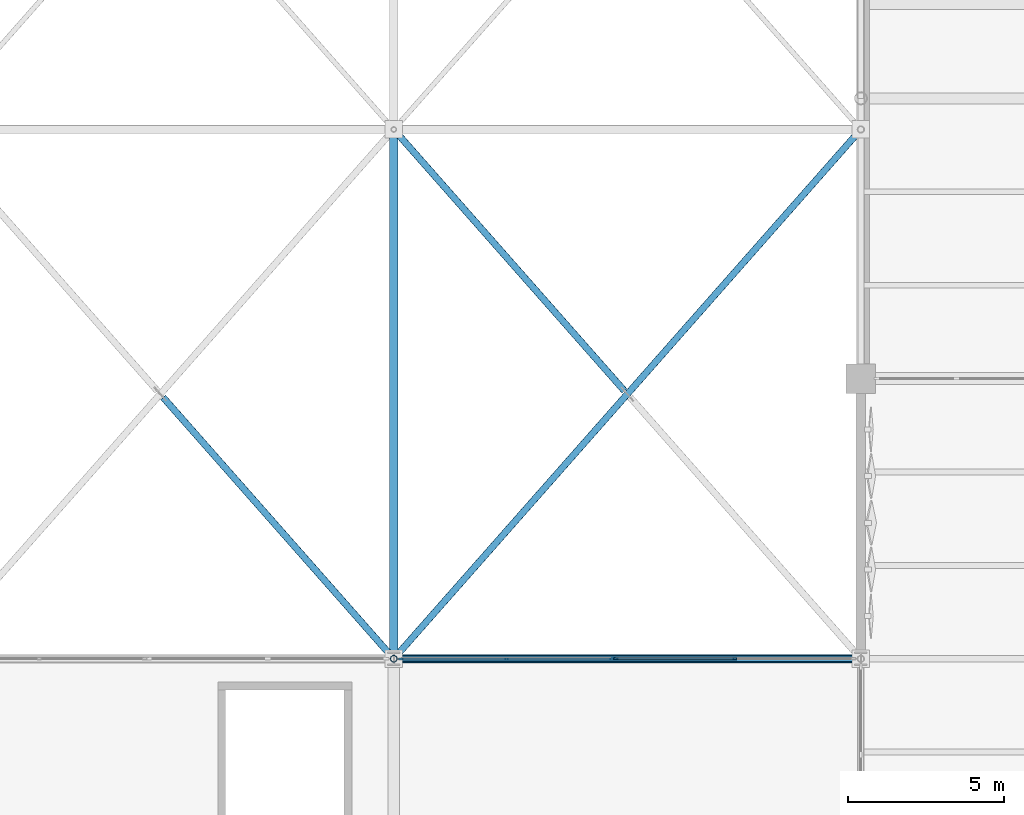
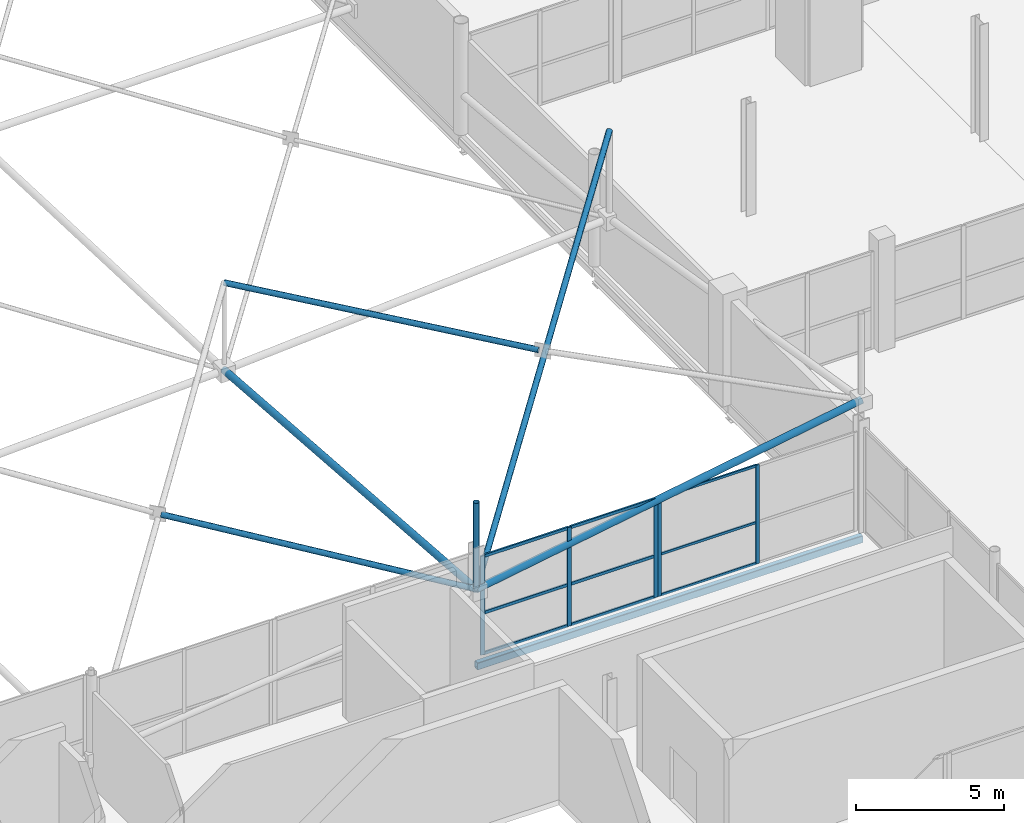
# One storey, part 51 of 224: 20 members, 1 beam, 2 elements without a shape of their own.
"""IFC4 building model written with IfcOpenShell, lengths in metres."""

from ifc_helpers import new_model, si_unit, direction, frame, origin, origin_2d, place, context, subcontext, project, spatial, rectangle, hollow_rectangle, hollow_circle, extrude, material, layer, layer_set, material_profile, profile_set, type_object, element, aggregate, save


model = new_model("IFC4")

# Units and contexts
model_context = context("Model", 3, precision=1e-05, world=origin(), true_north=direction((0.0, 1.0)))
body_context = subcontext(model_context, "Body", "Model", "MODEL_VIEW")
ifc_project = project(units=[si_unit("LENGTHUNIT", "METRE"), si_unit("AREAUNIT", "SQUARE_METRE"), si_unit("VOLUMEUNIT", "CUBIC_METRE"), si_unit("PLANEANGLEUNIT", "RADIAN"), si_unit("MASSUNIT", "GRAM", prefix="KILO")], contexts=[model_context])

# Site, building, storey
site_placement = place(None, origin())
site = spatial("IfcSite", under=ifc_project, at=site_placement, CompositionType="ELEMENT")
building_placement = place(site_placement, origin())
building = spatial("IfcBuilding", under=site, at=building_placement, Name="Qamarlyn Nura Convention Centre", CompositionType="ELEMENT")
storey_placement = place(building_placement, frame((0.0, 0.0, 10.800048828125)))
storey = spatial("IfcBuildingStorey", under=building, at=storey_placement, Name="L02", CompositionType="ELEMENT", Elevation=10.800048828125)

# Beam
ifc_material_1 = material(Name="Steel ASTM A500 Grade C", Category="steel")
ifc_material_profile_1 = material_profile(ifc_material_1, hollow_rectangle(XDim=0.199951171875, YDim=0.300048828125, WallThickness=0.012451171875, InnerFilletRadius=0.012451171875, OuterFilletRadius=0.02490234375, at=origin_2d()), Name="HSS300X200X12.5")
ifc_profile_set_1 = profile_set([ifc_material_profile_1], Name="Steel ASTM A500 Grade C")
beam_type = type_object("IfcBeamType", Name="BM-SPAN-HSS", PredefinedType="SPANDREL", material=ifc_profile_set_1)
beam_placement = place(storey_placement, frame((105.0, 18.0, -0.3701171875), z_axis=(1.0, 0.0, 0.0), x_axis=(0.0, 1.0, 0.0)))
element("IfcBeam", 1, at=beam_placement, inside=storey, type_object=beam_type, Name="L02 girder C 8-9", PredefinedType="SPANDREL", context=body_context, shape_type="SweptSolid", body=[
    extrude(hollow_rectangle(XDim=0.199951171875, YDim=0.300048828125, WallThickness=0.012451171875, InnerFilletRadius=0.012451171875, OuterFilletRadius=0.02490234375, at=origin_2d()), origin(), (0.0, 0.0, 1.0), 15.0),
])

# Curtain wall, members
ifc_material_2 = material(Name="Double-silver low-E insulated glass", Category="glass")
ifc_layer_1 = layer(ifc_material_2, 0.179931640625, Name="CW-UNIT-24")
ifc_layer_set_1 = layer_set([ifc_layer_1], Name="Double-silver low-E insulated glass")
curtain_wall_type_1 = type_object("IfcCurtainWallType", Name="CW-UNIT-24", PredefinedType="NOTDEFINED", material=ifc_layer_set_1)
curtain_wall_1_placement = place(storey_placement, origin())
curtain_wall_1 = element("IfcCurtainWall", 2, at=curtain_wall_1_placement, inside=storey, type_object=curtain_wall_type_1, Name="L02 unitised curtain wall V1-INT-S4-1B", PredefinedType="NOTDEFINED")
ifc_material_3 = material(Name="Champagne-anodised marine aluminium", Category="aluminium")
ifc_material_profile_2 = material_profile(ifc_material_3, rectangle(XDim=0.06005859375, YDim=0.139892578125, at=origin_2d()), Name="ALU MULLION 60x140")
ifc_profile_set_2 = profile_set([ifc_material_profile_2], Name="Champagne-anodised marine aluminium")
member_type_1 = type_object("IfcMemberType", Name="CWM-140", PredefinedType="MULLION", material=ifc_profile_set_2)
member_1_placement = place(storey_placement, frame((112.13232421875, 18.0, 0.0), z_axis=(0.0, 0.0, 1.0), x_axis=(0.0, 1.0, 0.0)))
member_1 = element("IfcMember", 3, at=member_1_placement, type_object=member_type_1, Name="CW24 mullion 1", PredefinedType="MULLION", context=body_context, shape_type="SweptSolid", body=[
    extrude(rectangle(XDim=0.06005859375, YDim=0.139892578125, at=origin_2d()), origin(), (0.0, 0.0, 1.0), 4.071044921875),
])
member_2_placement = place(storey_placement, frame((115.948974609375, 18.0, 0.0), z_axis=(0.0, 0.0, 1.0), x_axis=(0.0, 1.0, 0.0)))
member_2 = element("IfcMember", 4, at=member_2_placement, type_object=member_type_1, Name="CW24 mullion 2", PredefinedType="MULLION", context=body_context, shape_type="SweptSolid", body=[
    extrude(rectangle(XDim=0.06005859375, YDim=0.139892578125, at=origin_2d()), origin(), (0.0, 0.0, 1.0), 4.071044921875),
])

ifc_layer_2 = layer(ifc_material_2, 0.179931640625, Name="CW-UNIT-23")
ifc_layer_set_2 = layer_set([ifc_layer_2], Name="Double-silver low-E insulated glass")
curtain_wall_type_2 = type_object("IfcCurtainWallType", Name="CW-UNIT-23", PredefinedType="NOTDEFINED", material=ifc_layer_set_2)
curtain_wall_2_placement = place(storey_placement, origin())
curtain_wall_2 = element("IfcCurtainWall", 5, at=curtain_wall_2_placement, inside=storey, type_object=curtain_wall_type_2, Name="L02 unitised curtain wall V1-INT-S4-1A", PredefinedType="NOTDEFINED")
ifc_material_profile_3 = material_profile(ifc_material_3, rectangle(XDim=0.06494140625, YDim=0.159912109375, at=origin_2d()), Name="ALU MULLION 65x160")
ifc_profile_set_3 = profile_set([ifc_material_profile_3], Name="Champagne-anodised marine aluminium")
member_type_2 = type_object("IfcMemberType", Name="CWM-160", PredefinedType="MULLION", material=ifc_profile_set_3)
member_3_placement = place(storey_placement, frame((105.237060546875, 18.0, 0.0), z_axis=(0.0, 0.0, 1.0), x_axis=(0.0, 1.0, 0.0)))
member_3 = element("IfcMember", 6, at=member_3_placement, type_object=member_type_2, Name="CW23 mullion 1", PredefinedType="MULLION", context=body_context, shape_type="SweptSolid", body=[
    extrude(rectangle(XDim=0.06494140625, YDim=0.159912109375, at=origin_2d()), origin(), (0.0, 0.0, 1.0), 4.071044921875),
])
member_4_placement = place(storey_placement, frame((108.61328125, 18.0, 0.0), z_axis=(0.0, 0.0, 1.0), x_axis=(0.0, 1.0, 0.0)))
member_4 = element("IfcMember", 7, at=member_4_placement, type_object=member_type_2, Name="CW23 mullion 2", PredefinedType="MULLION", context=body_context, shape_type="SweptSolid", body=[
    extrude(rectangle(XDim=0.06494140625, YDim=0.159912109375, at=origin_2d()), origin(), (0.0, 0.0, 1.0), 4.071044921875),
])
member_5_placement = place(storey_placement, frame((111.98974609375, 18.0, 0.0), z_axis=(0.0, 0.0, 1.0), x_axis=(0.0, 1.0, 0.0)))
member_5 = element("IfcMember", 8, at=member_5_placement, type_object=member_type_2, Name="CW23 mullion 3", PredefinedType="MULLION", context=body_context, shape_type="SweptSolid", body=[
    extrude(rectangle(XDim=0.06494140625, YDim=0.159912109375, at=origin_2d()), origin(), (0.0, 0.0, 1.0), 4.071044921875),
])

# Member
ifc_material_profile_4 = material_profile(ifc_material_3, rectangle(XDim=0.06005859375, YDim=0.10009765625, at=origin_2d()), Name="ALU TRANSOM 60x100")
ifc_profile_set_4 = profile_set([ifc_material_profile_4], Name="Champagne-anodised marine aluminium")
member_type_3 = type_object("IfcMemberType", Name="CWT-100", PredefinedType="USERDEFINED", material=ifc_profile_set_4)
member_6_placement = place(storey_placement, frame((112.162353515625, 18.0, 0.030029296875), z_axis=(1.0, 0.0, 0.0), x_axis=(0.0, 1.0, 0.0)))
member_6 = element("IfcMember", 9, at=member_6_placement, type_object=member_type_3, Name="CW24 transom 1.1", ObjectType="TRANSOM", PredefinedType="USERDEFINED", context=body_context, shape_type="SweptSolid", body=[
    extrude(rectangle(XDim=0.06005859375, YDim=0.10009765625, at=origin_2d()), origin(), (0.0, 0.0, 1.0), 3.756591796875),
])

member_7_placement = place(storey_placement, frame((112.162353515625, 18.0, 1.7099609375), z_axis=(1.0, 0.0, 0.0), x_axis=(0.0, 1.0, 0.0)))
member_7 = element("IfcMember", 10, at=member_7_placement, type_object=member_type_3, Name="CW24 transom 1.2", ObjectType="TRANSOM", PredefinedType="USERDEFINED", context=body_context, shape_type="SweptSolid", body=[
    extrude(rectangle(XDim=0.06005859375, YDim=0.10009765625, at=origin_2d()), origin(), (0.0, 0.0, 1.0), 3.756591796875),
])

member_8_placement = place(storey_placement, frame((112.162353515625, 18.0, 4.041015625), z_axis=(1.0, 0.0, 0.0), x_axis=(0.0, 1.0, 0.0)))
member_8 = element("IfcMember", 11, at=member_8_placement, type_object=member_type_3, Name="CW24 transom 1.3", ObjectType="TRANSOM", PredefinedType="USERDEFINED", context=body_context, shape_type="SweptSolid", body=[
    extrude(rectangle(XDim=0.06005859375, YDim=0.10009765625, at=origin_2d()), origin(), (0.0, 0.0, 1.0), 3.756591796875),
])

aggregate(curtain_wall_1, [member_1, member_2, member_6, member_7, member_8])

ifc_material_profile_5 = material_profile(ifc_material_3, rectangle(XDim=0.06494140625, YDim=0.1201171875, at=origin_2d()), Name="ALU TRANSOM 65x120")
ifc_profile_set_5 = profile_set([ifc_material_profile_5], Name="Champagne-anodised marine aluminium")
member_type_4 = type_object("IfcMemberType", Name="CWT-120", PredefinedType="USERDEFINED", material=ifc_profile_set_5)
member_9_placement = place(storey_placement, frame((105.26953125, 18.0, 0.032470703125), z_axis=(1.0, 0.0, 0.0), x_axis=(0.0, 1.0, 0.0)))
member_9 = element("IfcMember", 12, at=member_9_placement, type_object=member_type_4, Name="CW23 transom 1.1", ObjectType="TRANSOM", PredefinedType="USERDEFINED", context=body_context, shape_type="SweptSolid", body=[
    extrude(rectangle(XDim=0.06494140625, YDim=0.1201171875, at=origin_2d()), origin(), (0.0, 0.0, 1.0), 3.311279296875),
])

member_10_placement = place(storey_placement, frame((105.26953125, 18.0, 1.7099609375), z_axis=(1.0, 0.0, 0.0), x_axis=(0.0, 1.0, 0.0)))
member_10 = element("IfcMember", 13, at=member_10_placement, type_object=member_type_4, Name="CW23 transom 1.2", ObjectType="TRANSOM", PredefinedType="USERDEFINED", context=body_context, shape_type="SweptSolid", body=[
    extrude(rectangle(XDim=0.06494140625, YDim=0.1201171875, at=origin_2d()), origin(), (0.0, 0.0, 1.0), 3.311279296875),
])

member_11_placement = place(storey_placement, frame((105.26953125, 18.0, 4.038330078125), z_axis=(1.0, 0.0, 0.0), x_axis=(0.0, 1.0, 0.0)))
member_11 = element("IfcMember", 14, at=member_11_placement, type_object=member_type_4, Name="CW23 transom 1.3", ObjectType="TRANSOM", PredefinedType="USERDEFINED", context=body_context, shape_type="SweptSolid", body=[
    extrude(rectangle(XDim=0.06494140625, YDim=0.1201171875, at=origin_2d()), origin(), (0.0, 0.0, 1.0), 3.311279296875),
])

member_12_placement = place(storey_placement, frame((108.64599609375, 18.0, 0.032470703125), z_axis=(1.0, 0.0, 0.0), x_axis=(0.0, 1.0, 0.0)))
member_12 = element("IfcMember", 15, at=member_12_placement, type_object=member_type_4, Name="CW23 transom 2.1", ObjectType="TRANSOM", PredefinedType="USERDEFINED", context=body_context, shape_type="SweptSolid", body=[
    extrude(rectangle(XDim=0.06494140625, YDim=0.1201171875, at=origin_2d()), origin(), (0.0, 0.0, 1.0), 3.311279296875),
])

member_13_placement = place(storey_placement, frame((108.64599609375, 18.0, 1.7099609375), z_axis=(1.0, 0.0, 0.0), x_axis=(0.0, 1.0, 0.0)))
member_13 = element("IfcMember", 16, at=member_13_placement, type_object=member_type_4, Name="CW23 transom 2.2", ObjectType="TRANSOM", PredefinedType="USERDEFINED", context=body_context, shape_type="SweptSolid", body=[
    extrude(rectangle(XDim=0.06494140625, YDim=0.1201171875, at=origin_2d()), origin(), (0.0, 0.0, 1.0), 3.311279296875),
])

member_14_placement = place(storey_placement, frame((108.64599609375, 18.0, 4.038330078125), z_axis=(1.0, 0.0, 0.0), x_axis=(0.0, 1.0, 0.0)))
member_14 = element("IfcMember", 17, at=member_14_placement, type_object=member_type_4, Name="CW23 transom 2.3", ObjectType="TRANSOM", PredefinedType="USERDEFINED", context=body_context, shape_type="SweptSolid", body=[
    extrude(rectangle(XDim=0.06494140625, YDim=0.1201171875, at=origin_2d()), origin(), (0.0, 0.0, 1.0), 3.311279296875),
])

aggregate(curtain_wall_2, [member_3, member_4, member_5, member_9, member_10, member_11, member_12, member_13, member_14])

# Members
ifc_material_4 = material(Name="Pearl-white PVDF steel ASTM A500 Grade C", Category="steel")
ifc_material_profile_6 = material_profile(ifc_material_4, hollow_circle(Radius=0.136474609375, WallThickness=0.012451171875, at=origin_2d()), Name="CHS273X12.5")
ifc_profile_set_6 = profile_set([ifc_material_profile_6], Name="Pearl-white PVDF steel ASTM A500 Grade C")
member_type_5 = type_object("IfcMemberType", Name="SF-BC-MAIN", PredefinedType="CHORD", material=ifc_profile_set_6)
member_15_placement = place(storey_placement, frame((105.0, 18.0, 2.7685546875), z_axis=(0.985903000709, 0.0, 0.167317880671), x_axis=(0.0, 1.0, 0.0)))
element("IfcMember", 18, at=member_15_placement, inside=storey, type_object=member_type_5, Name="ROOF TRUSS space frame bottom chord X9-2", PredefinedType="CHORD", context=body_context, shape_type="SweptSolid", body=[
    extrude(hollow_circle(Radius=0.136474609375, WallThickness=0.012451171875, at=origin_2d()), origin(), (0.0, 0.0, 1.0), 15.214599609375),
])
member_16_placement = place(storey_placement, frame((105.0, 18.0, 2.7685546875), z_axis=(0.0, 0.997141772719, -0.075553193831), x_axis=(-1.0, 0.0, 0.0)))
element("IfcMember", 19, at=member_16_placement, inside=storey, type_object=member_type_5, Name="ROOF TRUSS space frame bottom chord Y9-2", PredefinedType="CHORD", context=body_context, shape_type="SweptSolid", body=[
    extrude(hollow_circle(Radius=0.136474609375, WallThickness=0.012451171875, at=origin_2d()), origin(), (0.0, 0.0, 1.0), 17.048828125),
])
ifc_material_profile_7 = material_profile(ifc_material_4, hollow_circle(Radius=0.109619140625, WallThickness=0.010009765625, at=origin_2d()), Name="CHS219.1X10")
ifc_profile_set_7 = profile_set([ifc_material_profile_7], Name="Pearl-white PVDF steel ASTM A500 Grade C")
member_type_6 = type_object("IfcMemberType", Name="SF-WEB-HVY", PredefinedType="BRACE", material=ifc_profile_set_7)
member_17_placement = place(storey_placement, frame((105.0, 18.0, 2.7685546875), z_axis=(-0.660747108466, 0.748833656938, 0.051588883395), x_axis=(-0.749832128163, -0.66162812786, 0.0)))
element("IfcMember", 20, at=member_17_placement, inside=storey, type_object=member_type_6, Name="ROOF TRUSS space frame split diagonal B1 8-2", PredefinedType="BRACE", context=body_context, shape_type="SweptSolid", body=[
    extrude(hollow_circle(Radius=0.109619140625, WallThickness=0.010009765625, at=origin_2d()), origin(), (0.0, 0.0, 1.0), 11.211181640625),
])
member_18_placement = place(storey_placement, frame((105.0, 18.0, 2.7685546875), z_axis=(0.0, 0.0, 1.0), x_axis=(1.0, 0.0, 0.0)))
element("IfcMember", 21, at=member_18_placement, inside=storey, type_object=member_type_6, Name="ROOF TRUSS space frame vertical 9-2", PredefinedType="BRACE", context=body_context, shape_type="SweptSolid", body=[
    extrude(hollow_circle(Radius=0.109619140625, WallThickness=0.010009765625, at=origin_2d()), origin(), (0.0, 0.0, 1.0), 3.60009765625),
])
member_19_placement = place(storey_placement, frame((105.0, 18.0, 2.7685546875), z_axis=(0.654659621772, 0.741947571341, 0.144687874415), x_axis=(-0.749837855365, 0.661621637087, 0.0)))
element("IfcMember", 22, at=member_19_placement, inside=storey, type_object=member_type_6, Name="ROOF TRUSS space frame diagonal A 9-2", PredefinedType="BRACE", context=body_context, shape_type="SweptSolid", body=[
    extrude(hollow_circle(Radius=0.109619140625, WallThickness=0.010009765625, at=origin_2d()), origin(), (0.0, 0.0, 1.0), 22.91259765625),
])
member_20_placement = place(storey_placement, frame((112.407470703125, 26.60498046875, 4.810302734375), z_axis=(-0.661433997589, 0.749615023931, 0.024132607209), x_axis=(-0.749833400742, -0.661626685625, 0.0)))
element("IfcMember", 23, at=member_20_placement, inside=storey, type_object=member_type_6, Name="ROOF TRUSS space frame split diagonal B2 9-2", PredefinedType="BRACE", context=body_context, shape_type="SweptSolid", body=[
    extrude(hollow_circle(Radius=0.109619140625, WallThickness=0.010009765625, at=origin_2d()), origin(), (0.0, 0.0, 1.0), 11.19921875),
])

save(model, "model.ifc")
